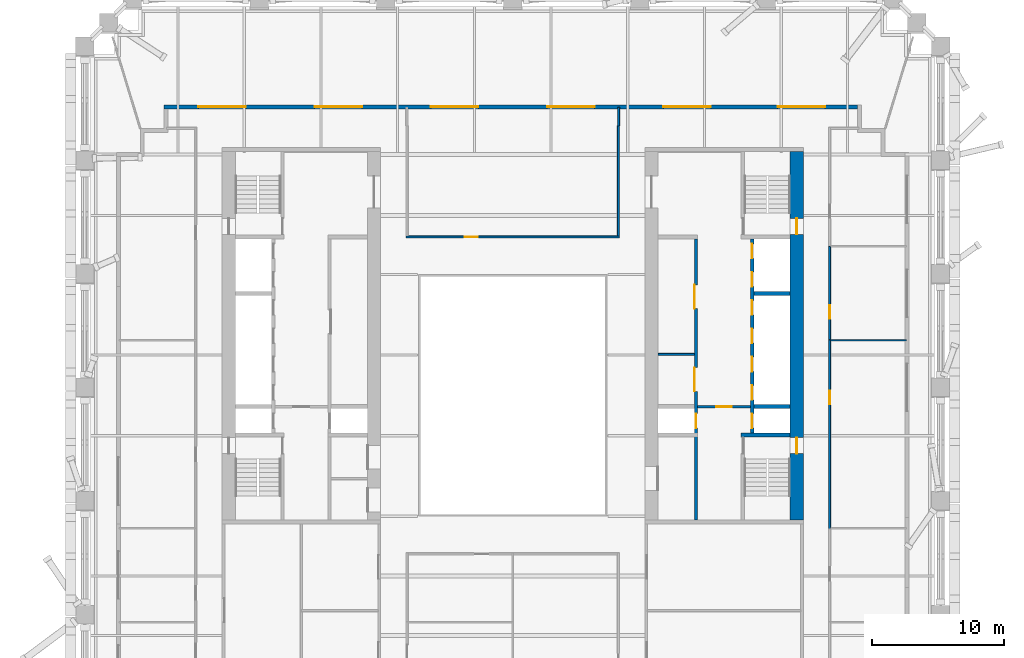
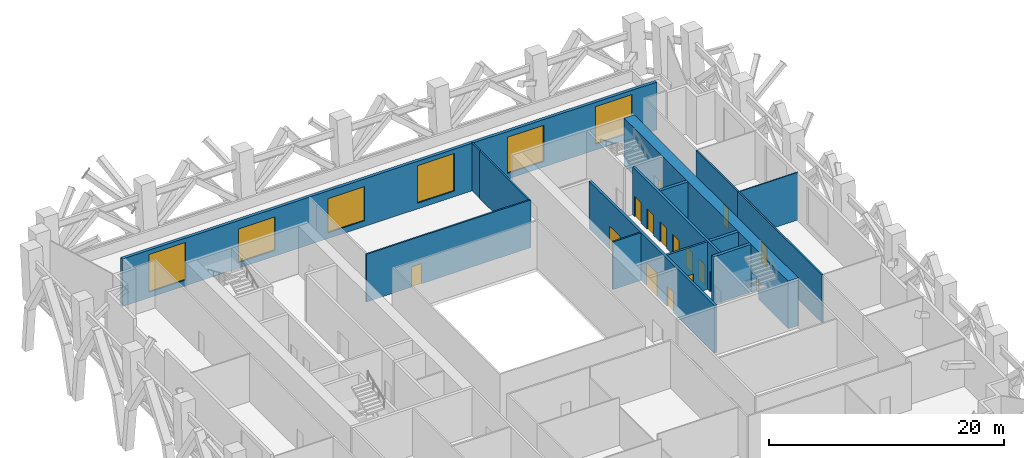
# One storey, part 8 of 19: 16 doors, 15 walls, 6 windows, 22 openings.
"""IFC4 building model written with IfcOpenShell, lengths in metres."""

from ifc_helpers import new_model, si_unit, direction, frame, frame_2d, origin, place, context, subcontext, project, spatial, rectangle, extrude, material, layer, layer_set, type_object, element, fill, save


model = new_model("IFC4")

# Units and contexts
model_context = context("Model", 3, precision=1e-05, world=origin(), true_north=direction((0.0, 1.0)))
body_context = subcontext(model_context, "Body", "Model", "MODEL_VIEW")
ifc_project = project(units=[si_unit("LENGTHUNIT", "METRE"), si_unit("AREAUNIT", "SQUARE_METRE"), si_unit("VOLUMEUNIT", "CUBIC_METRE"), si_unit("PLANEANGLEUNIT", "RADIAN"), si_unit("MASSUNIT", "GRAM", prefix="KILO")], contexts=[model_context])

# Site, building, storey
site_placement = place(None, origin())
site = spatial("IfcSite", under=ifc_project, at=site_placement, CompositionType="ELEMENT")
building_placement = place(site_placement, origin())
building = spatial("IfcBuilding", under=site, at=building_placement, Name="Ogive Exchange Tower", CompositionType="ELEMENT")
storey_placement = place(building_placement, frame((0.0, 0.0, 94.199951171875)))
storey = spatial("IfcBuildingStorey", under=building, at=storey_placement, Name="L20", CompositionType="ELEMENT", Elevation=94.199951171875)

# Wall
ifc_material_1 = material(Name="Gypsum board partition")
ifc_layer_1 = layer(ifc_material_1, 0.14990234375)
ifc_layer_set_1 = layer_set([ifc_layer_1], Name="Core room partition 150 gypsum")
wall_type_1 = type_object("IfcWallType", Name="Core room partition 150 gypsum", PredefinedType="PARTITIONING", material=ifc_layer_set_1)
wall_1_placement = place(storey_placement, frame((11.0, 10.10009765625, 0.0), z_axis=(0.0, 0.0, 1.0), x_axis=(1.0, 0.0, 0.0)))
element("IfcWall", 1, at=wall_1_placement, inside=storey, type_object=wall_type_1, Name="E row B bay partition 1-1", PredefinedType="PARTITIONING", context=body_context, shape_type="SweptSolid", body=[
    extrude(rectangle(XDim=2.75, YDim=0.14990234375, at=frame_2d((1.375, 0.0))), origin(), (0.0, 0.0, 1.0), 4.949951171875),
])

# Wall, opening, door
ifc_material_2 = material(Name="Fire partition EI 60 150")
ifc_layer_2 = layer(ifc_material_2, 0.14990234375)
ifc_layer_set_2 = layer_set([ifc_layer_2], Name="Fire partition EI 60 150")
wall_type_2 = type_object("IfcWallType", Name="Fire partition EI 60 150", PredefinedType="PARTITIONING", material=ifc_layer_set_2)
wall_2_placement = place(storey_placement, frame((-8.074951171875, 19.0, 0.0), z_axis=(0.0, 0.0, 1.0), x_axis=(1.0, 0.0, 0.0)))
wall_2 = element("IfcWall", 2, at=wall_2_placement, inside=storey, type_object=wall_type_2, Name="L20-PWL-018", PredefinedType="PARTITIONING", context=body_context, shape_type="SweptSolid", body=[
    extrude(rectangle(XDim=16.14990234375, YDim=0.14990234375, at=frame_2d((8.074951171875, 0.0))), origin(), (0.0, 0.0, 1.0), 4.949951171875),
])
opening_1_placement = place(wall_2_placement, frame((4.425048828125, 0.0, 0.0)))
opening_1 = element("IfcOpeningElement", 3, at=opening_1_placement, cuts=wall_2, Name="Opening L20-I06", PredefinedType="OPENING", context=body_context, shape_type="SweptSolid", body=[
    extrude(rectangle(XDim=1.0, YDim=2.10009765625, at=frame_2d((0.5, 1.050048828125))), frame((0.0, 0.0849609375, 0.0), z_axis=(0.0, -1.0, 0.0), x_axis=(1.0, 0.0, 0.0)), (0.0, 0.0, 1.0), 0.169921875),
])
ifc_material_3 = material(Name="Fire door FD 30S 1000 x 2100")
door_type_1 = type_object("IfcDoorType", Name="Fire door FD 30S 1000 x 2100", OperationType="NOTDEFINED", PredefinedType="DOOR", material=ifc_material_3)
door_1_placement = place(opening_1_placement, origin())
door_1 = element("IfcDoor", 4, at=door_1_placement, inside=storey, type_object=door_type_1, Name="L20-IDR-006", ObjectType="DT3", OperationType="SINGLE_SWING_LEFT", OverallHeight=2.10009765625, OverallWidth=1.0, PredefinedType="DOOR", context=body_context, shape_type="SweptSolid", body=[
    extrude(rectangle(XDim=1.0, YDim=2.10009765625, at=frame_2d((0.5, 1.050048828125))), frame((0.0, 0.02490234375, 0.0), z_axis=(0.0, -1.0, 0.0), x_axis=(1.0, 0.0, 0.0)), (0.0, 0.0, 1.0), 0.050048828125),
])
fill(opening_1, door_1)

# Walls
wall_3_placement = place(storey_placement, frame((8.0, 19.074951171875, 0.0), z_axis=(0.0, 0.0, 1.0), x_axis=(0.0, 1.0, 0.0)))
element("IfcWall", 5, at=wall_3_placement, inside=storey, type_object=wall_type_2, Name="L20-PWL-031", PredefinedType="PARTITIONING", context=body_context, shape_type="SweptSolid", body=[
    extrude(rectangle(XDim=8.324951171875, YDim=0.14990234375, at=frame_2d((4.16259765625, 0.0))), origin(), (0.0, 0.0, 1.0), 4.949951171875),
])
wall_4_placement = place(storey_placement, frame((8.010009765625, 27.39990234375, 0.0), z_axis=(0.0, 0.0, 1.0), x_axis=(0.0, 1.0, 0.0)))
element("IfcWall", 6, at=wall_4_placement, inside=storey, type_object=wall_type_2, Name="L20-PWL-032", PredefinedType="PARTITIONING", context=body_context, shape_type="SweptSolid", body=[
    extrude(rectangle(XDim=1.400146484375, YDim=0.14990234375, at=frame_2d((0.7001953125, 0.0))), origin(), (0.0, 0.0, 1.0), 4.949951171875),
])

# Wall, opening, door
wall_5_placement = place(storey_placement, frame((24.0, 11.219970703125, 0.0), z_axis=(0.0, 0.0, 1.0), x_axis=(0.0, -1.0, 0.0)))
wall_5 = element("IfcWall", 7, at=wall_5_placement, inside=storey, type_object=wall_type_2, Name="L20-PWL-039", PredefinedType="PARTITIONING", context=body_context, shape_type="SweptSolid", body=[
    extrude(rectangle(XDim=14.330078125, YDim=0.14990234375, at=frame_2d((7.1650390625, 0.0))), origin(), (0.0, 0.0, 1.0), 4.949951171875),
])
opening_2_placement = place(wall_5_placement, frame((3.8798828125, 0.0, 0.0)))
opening_2 = element("IfcOpeningElement", 8, at=opening_2_placement, cuts=wall_5, Name="Opening L20-I02", PredefinedType="OPENING", context=body_context, shape_type="SweptSolid", body=[
    extrude(rectangle(XDim=1.0, YDim=2.10009765625, at=frame_2d((0.5, 1.050048828125))), frame((0.0, 0.0849609375, 0.0), z_axis=(0.0, -1.0, 0.0), x_axis=(1.0, 0.0, 0.0)), (0.0, 0.0, 1.0), 0.169921875),
])
door_2_placement = place(opening_2_placement, origin())
door_2 = element("IfcDoor", 9, at=door_2_placement, inside=storey, type_object=door_type_1, Name="L20-IDR-002", ObjectType="DT3", OperationType="SINGLE_SWING_RIGHT", OverallHeight=2.10009765625, OverallWidth=1.0, PredefinedType="DOOR", context=body_context, shape_type="SweptSolid", body=[
    extrude(rectangle(XDim=1.0, YDim=2.10009765625, at=frame_2d((0.5, 1.050048828125))), frame((0.0, 0.02490234375, 0.0), z_axis=(0.0, -1.0, 0.0), x_axis=(1.0, 0.0, 0.0)), (0.0, 0.0, 1.0), 0.050048828125),
])
fill(opening_2, door_2)

wall_6_placement = place(storey_placement, frame((24.0, 18.2900390625, 0.0), z_axis=(0.0, 0.0, 1.0), x_axis=(0.0, -1.0, 0.0)))
wall_6 = element("IfcWall", 10, at=wall_6_placement, inside=storey, type_object=wall_type_2, Name="L20-PWL-041", PredefinedType="PARTITIONING", context=body_context, shape_type="SweptSolid", body=[
    extrude(rectangle(XDim=7.070068359375, YDim=0.14990234375, at=frame_2d((3.53515625, 0.0))), origin(), (0.0, 0.0, 1.0), 4.949951171875),
])
opening_3_placement = place(wall_6_placement, frame((4.469970703125, 0.0, 0.0)))
opening_3 = element("IfcOpeningElement", 11, at=opening_3_placement, cuts=wall_6, Name="Opening L20-I04", PredefinedType="OPENING", context=body_context, shape_type="SweptSolid", body=[
    extrude(rectangle(XDim=1.0, YDim=2.10009765625, at=frame_2d((0.5, 1.050048828125))), frame((0.0, 0.0849609375, 0.0), z_axis=(0.0, -1.0, 0.0), x_axis=(1.0, 0.0, 0.0)), (0.0, 0.0, 1.0), 0.169921875),
])
door_3_placement = place(opening_3_placement, origin())
door_3 = element("IfcDoor", 12, at=door_3_placement, inside=storey, type_object=door_type_1, Name="L20-IDR-004", ObjectType="DT3", OperationType="SINGLE_SWING_LEFT", OverallHeight=2.10009765625, OverallWidth=1.0, PredefinedType="DOOR", context=body_context, shape_type="SweptSolid", body=[
    extrude(rectangle(XDim=1.0, YDim=2.10009765625, at=frame_2d((0.5, 1.050048828125))), frame((0.0, 0.02490234375, 0.0), z_axis=(0.0, -1.0, 0.0), x_axis=(1.0, 0.0, 0.0)), (0.0, 0.0, 1.0), 0.050048828125),
])
fill(opening_3, door_3)

# Wall, openings, windows
ifc_material_4 = material(Name="Precast concrete C40/50", Category="concrete")
ifc_layer_3 = layer(ifc_material_4, 0.300048828125)
ifc_layer_set_3 = layer_set([ifc_layer_3], Name="Limestone-faced wall 300")
wall_type_3 = type_object("IfcWallType", Name="Limestone-faced wall 300", PredefinedType="STANDARD", material=ifc_layer_set_3)
wall_7_placement = place(storey_placement, frame((26.10009765625, 28.85009765625, 0.0), z_axis=(0.0, 0.0, 1.0), x_axis=(-1.0, 0.0, 0.0)))
wall_7 = element("IfcWall", 13, at=wall_7_placement, inside=storey, type_object=wall_type_3, Name="External wall N3", PredefinedType="STANDARD", context=body_context, shape_type="SweptSolid", body=[
    extrude(rectangle(XDim=52.5, YDim=0.300048828125, at=frame_2d((26.25, 0.0))), origin(), (0.0, 0.0, 1.0), 4.949951171875),
])
opening_4_placement = place(wall_7_placement, frame((2.449951171875, 0.0, 0.60009765625)))
opening_4 = element("IfcOpeningElement", 14, at=opening_4_placement, cuts=wall_7, Name="Opening LV1", PredefinedType="OPENING", context=body_context, shape_type="SweptSolid", body=[
    extrude(rectangle(XDim=3.60009765625, YDim=3.89990234375, at=frame_2d((1.800048828125, 1.949951171875))), frame((0.0, 0.159912109375, 0.0), z_axis=(0.0, -1.0, 0.0), x_axis=(1.0, 0.0, 0.0)), (0.0, 0.0, 1.0), 0.320068359375),
])
opening_5_placement = place(wall_7_placement, frame((11.10009765625, 0.0, 0.60009765625)))
opening_5 = element("IfcOpeningElement", 15, at=opening_5_placement, cuts=wall_7, Name="Opening LV1C", PredefinedType="OPENING", context=body_context, shape_type="SweptSolid", body=[
    extrude(rectangle(XDim=3.60009765625, YDim=3.75, at=frame_2d((1.800048828125, 1.875))), frame((0.0, 0.159912109375, 0.0), z_axis=(0.0, -1.0, 0.0), x_axis=(1.0, 0.0, 0.0)), (0.0, 0.0, 1.0), 0.320068359375),
])
opening_6_placement = place(wall_7_placement, frame((19.89990234375, 0.0, 0.60009765625)))
opening_6 = element("IfcOpeningElement", 16, at=opening_6_placement, cuts=wall_7, Name="Opening LV1", PredefinedType="OPENING", context=body_context, shape_type="SweptSolid", body=[
    extrude(rectangle(XDim=3.60009765625, YDim=3.89990234375, at=frame_2d((1.800048828125, 1.949951171875))), frame((0.0, 0.159912109375, 0.0), z_axis=(0.0, -1.0, 0.0), x_axis=(1.0, 0.0, 0.0)), (0.0, 0.0, 1.0), 0.320068359375),
])
opening_7_placement = place(wall_7_placement, frame((28.699951171875, 0.0, 0.60009765625)))
opening_7 = element("IfcOpeningElement", 17, at=opening_7_placement, cuts=wall_7, Name="Opening LV1E", PredefinedType="OPENING", context=body_context, shape_type="SweptSolid", body=[
    extrude(rectangle(XDim=3.60009765625, YDim=3.550048828125, at=frame_2d((1.800048828125, 1.77490234375))), frame((0.0, 0.159912109375, 0.0), z_axis=(0.0, -1.0, 0.0), x_axis=(1.0, 0.0, 0.0)), (0.0, 0.0, 1.0), 0.320068359375),
])
opening_8_placement = place(wall_7_placement, frame((37.5, 0.0, 0.60009765625)))
opening_8 = element("IfcOpeningElement", 18, at=opening_8_placement, cuts=wall_7, Name="Opening LV1F", PredefinedType="OPENING", context=body_context, shape_type="SweptSolid", body=[
    extrude(rectangle(XDim=3.60009765625, YDim=3.47509765625, at=frame_2d((1.800048828125, 1.737548828125))), frame((0.0, 0.159912109375, 0.0), z_axis=(0.0, -1.0, 0.0), x_axis=(1.0, 0.0, 0.0)), (0.0, 0.0, 1.0), 0.320068359375),
])
opening_9_placement = place(wall_7_placement, frame((46.300048828125, 0.0, 0.60009765625)))
opening_9 = element("IfcOpeningElement", 19, at=opening_9_placement, cuts=wall_7, Name="Opening LV1", PredefinedType="OPENING", context=body_context, shape_type="SweptSolid", body=[
    extrude(rectangle(XDim=3.60009765625, YDim=3.89990234375, at=frame_2d((1.800048828125, 1.949951171875))), frame((0.0, 0.159912109375, 0.0), z_axis=(0.0, -1.0, 0.0), x_axis=(1.0, 0.0, 0.0)), (0.0, 0.0, 1.0), 0.320068359375),
])
ifc_material_5 = material(Name="Anodised aluminium louvre", Category="aluminium")
window_type_1 = type_object("IfcWindowType", Name="Plant louvre 3600 x 3475", PartitioningType="DOUBLE_PANEL_HORIZONTAL", PredefinedType="WINDOW", material=ifc_material_5)
window_1_placement = place(opening_8_placement, origin())
window_1 = element("IfcWindow", 20, at=window_1_placement, inside=storey, type_object=window_type_1, Name="Louvre N04", OverallHeight=3.47509765625, OverallWidth=3.60009765625, PartitioningType="DOUBLE_PANEL_HORIZONTAL", PredefinedType="WINDOW", context=body_context, shape_type="SweptSolid", body=[
    extrude(rectangle(XDim=3.60009765625, YDim=3.47509765625, at=frame_2d((1.800048828125, 1.737548828125))), frame((0.0, 0.030029296875, 0.0), z_axis=(0.0, -1.0, 0.0), x_axis=(1.0, 0.0, 0.0)), (0.0, 0.0, 1.0), 0.06005859375),
])
fill(opening_8, window_1)
window_type_2 = type_object("IfcWindowType", Name="Plant louvre 3600 x 3550", PartitioningType="DOUBLE_PANEL_HORIZONTAL", PredefinedType="WINDOW", material=ifc_material_5)
window_2_placement = place(opening_7_placement, origin())
window_2 = element("IfcWindow", 21, at=window_2_placement, inside=storey, type_object=window_type_2, Name="Louvre N03", OverallHeight=3.550048828125, OverallWidth=3.60009765625, PartitioningType="DOUBLE_PANEL_HORIZONTAL", PredefinedType="WINDOW", context=body_context, shape_type="SweptSolid", body=[
    extrude(rectangle(XDim=3.60009765625, YDim=3.550048828125, at=frame_2d((1.800048828125, 1.77490234375))), frame((0.0, 0.030029296875, 0.0), z_axis=(0.0, -1.0, 0.0), x_axis=(1.0, 0.0, 0.0)), (0.0, 0.0, 1.0), 0.06005859375),
])
fill(opening_7, window_2)
window_type_3 = type_object("IfcWindowType", Name="Plant louvre 3600 x 3750", PartitioningType="DOUBLE_PANEL_HORIZONTAL", PredefinedType="WINDOW", material=ifc_material_5)
window_3_placement = place(opening_5_placement, origin())
window_3 = element("IfcWindow", 22, at=window_3_placement, inside=storey, type_object=window_type_3, Name="Louvre N01", OverallHeight=3.75, OverallWidth=3.60009765625, PartitioningType="DOUBLE_PANEL_HORIZONTAL", PredefinedType="WINDOW", context=body_context, shape_type="SweptSolid", body=[
    extrude(rectangle(XDim=3.60009765625, YDim=3.75, at=frame_2d((1.800048828125, 1.875))), frame((0.0, 0.030029296875, 0.0), z_axis=(0.0, -1.0, 0.0), x_axis=(1.0, 0.0, 0.0)), (0.0, 0.0, 1.0), 0.06005859375),
])
fill(opening_5, window_3)
window_type_4 = type_object("IfcWindowType", Name="Plant louvre 3600 x 3900", PartitioningType="DOUBLE_PANEL_HORIZONTAL", PredefinedType="WINDOW", material=ifc_material_5)
window_4_placement = place(opening_4_placement, origin())
window_4 = element("IfcWindow", 23, at=window_4_placement, inside=storey, type_object=window_type_4, Name="Louvre N00", OverallHeight=3.89990234375, OverallWidth=3.60009765625, PartitioningType="DOUBLE_PANEL_HORIZONTAL", PredefinedType="WINDOW", context=body_context, shape_type="SweptSolid", body=[
    extrude(rectangle(XDim=3.60009765625, YDim=3.89990234375, at=frame_2d((1.800048828125, 1.949951171875))), frame((0.0, 0.030029296875, 0.0), z_axis=(0.0, -1.0, 0.0), x_axis=(1.0, 0.0, 0.0)), (0.0, 0.0, 1.0), 0.06005859375),
])
fill(opening_4, window_4)
window_5_placement = place(opening_6_placement, origin())
window_5 = element("IfcWindow", 24, at=window_5_placement, inside=storey, type_object=window_type_4, Name="Louvre N02", OverallHeight=3.89990234375, OverallWidth=3.60009765625, PartitioningType="DOUBLE_PANEL_HORIZONTAL", PredefinedType="WINDOW", context=body_context, shape_type="SweptSolid", body=[
    extrude(rectangle(XDim=3.60009765625, YDim=3.89990234375, at=frame_2d((1.800048828125, 1.949951171875))), frame((0.0, 0.030029296875, 0.0), z_axis=(0.0, -1.0, 0.0), x_axis=(1.0, 0.0, 0.0)), (0.0, 0.0, 1.0), 0.06005859375),
])
fill(opening_6, window_5)
window_6_placement = place(opening_9_placement, origin())
window_6 = element("IfcWindow", 25, at=window_6_placement, inside=storey, type_object=window_type_4, Name="Louvre N05", OverallHeight=3.89990234375, OverallWidth=3.60009765625, PartitioningType="DOUBLE_PANEL_HORIZONTAL", PredefinedType="WINDOW", context=body_context, shape_type="SweptSolid", body=[
    extrude(rectangle(XDim=3.60009765625, YDim=3.89990234375, at=frame_2d((1.800048828125, 1.949951171875))), frame((0.0, 0.030029296875, 0.0), z_axis=(0.0, -1.0, 0.0), x_axis=(1.0, 0.0, 0.0)), (0.0, 0.0, 1.0), 0.06005859375),
])
fill(opening_9, window_6)

# Wall
ifc_material_6 = material(Name="Partition 100 gypsum")
ifc_layer_4 = layer(ifc_material_6, 0.10009765625)
ifc_layer_set_4 = layer_set([ifc_layer_4], Name="Partition 100 gypsum")
wall_type_4 = type_object("IfcWallType", Name="Partition 100 gypsum", PredefinedType="PARTITIONING", material=ifc_layer_set_4)
wall_8_placement = place(storey_placement, frame((24.074951171875, 11.169921875, 0.0), z_axis=(0.0, 0.0, 1.0), x_axis=(1.0, 0.0, 0.0)))
element("IfcWall", 26, at=wall_8_placement, inside=storey, type_object=wall_type_4, Name="L20-PWL-040", PredefinedType="PARTITIONING", context=body_context, shape_type="SweptSolid", body=[
    extrude(rectangle(XDim=5.72509765625, YDim=0.10009765625, at=frame_2d((2.862548828125, 0.0))), origin(), (0.0, 0.0, 1.0), 4.949951171875),
])

# Wall, openings, doors
ifc_material_7 = material(Name="Concrete C70/85", Category="concrete")
ifc_layer_5 = layer(ifc_material_7, 1.0)
ifc_layer_set_5 = layer_set([ifc_layer_5], Name="RC core wall 1000 C70/85")
wall_type_5 = type_object("IfcWallType", Name="RC core wall 1000 C70/85", PredefinedType="SHEAR", material=ifc_layer_set_5)
wall_9_placement = place(storey_placement, frame((21.5, -2.449951171875, 0.0), z_axis=(0.0, 0.0, 1.0), x_axis=(0.0, 1.0, 0.0)))
wall_9 = element("IfcWall", 27, at=wall_9_placement, inside=storey, type_object=wall_type_5, Name="E outer wall", PredefinedType="SHEAR", context=body_context, shape_type="SweptSolid", body=[
    extrude(rectangle(XDim=27.89990234375, YDim=1.0, at=frame_2d((13.949951171875, 0.0))), origin(), (0.0, 0.0, 1.0), 4.949951171875),
])
opening_10_placement = place(wall_9_placement, frame((5.050048828125, 0.0, 0.0)))
opening_10 = element("IfcOpeningElement", 28, at=opening_10_placement, cuts=wall_9, Name="Opening L20-C34", PredefinedType="OPENING", context=body_context, shape_type="SweptSolid", body=[
    extrude(rectangle(XDim=1.199951171875, YDim=2.10009765625, at=frame_2d((0.60009765625, 1.050048828125))), frame((0.0, 0.510009765625, 0.0), z_axis=(0.0, -1.0, 0.0), x_axis=(1.0, 0.0, 0.0)), (0.0, 0.0, 1.0), 1.02001953125),
])
opening_11_placement = place(wall_9_placement, frame((21.64990234375, 0.0, 0.0)))
opening_11 = element("IfcOpeningElement", 29, at=opening_11_placement, cuts=wall_9, Name="Opening L20-C36", PredefinedType="OPENING", context=body_context, shape_type="SweptSolid", body=[
    extrude(rectangle(XDim=1.199951171875, YDim=2.10009765625, at=frame_2d((0.60009765625, 1.050048828125))), frame((0.0, 0.510009765625, 0.0), z_axis=(0.0, -1.0, 0.0), x_axis=(1.0, 0.0, 0.0)), (0.0, 0.0, 1.0), 1.02001953125),
])
ifc_material_8 = material(Name="Steel fire door", Category="steel")
door_type_2 = type_object("IfcDoorType", Name="Stair door FD90 1200 x 2100", OperationType="NOTDEFINED", PredefinedType="DOOR", material=ifc_material_8)
door_4_placement = place(opening_10_placement, origin())
door_4 = element("IfcDoor", 30, at=door_4_placement, inside=storey, type_object=door_type_2, Name="Stair door", ObjectType="CD5", OperationType="SINGLE_SWING_LEFT", OverallHeight=2.10009765625, OverallWidth=1.199951171875, PredefinedType="DOOR", context=body_context, shape_type="SweptSolid", body=[
    extrude(rectangle(XDim=1.199951171875, YDim=2.10009765625, at=frame_2d((0.60009765625, 1.050048828125))), frame((0.0, 0.02490234375, 0.0), z_axis=(0.0, -1.0, 0.0), x_axis=(1.0, 0.0, 0.0)), (0.0, 0.0, 1.0), 0.050048828125),
])
fill(opening_10, door_4)
door_5_placement = place(opening_11_placement, origin())
door_5 = element("IfcDoor", 31, at=door_5_placement, inside=storey, type_object=door_type_2, Name="Stair door", ObjectType="CD5", OperationType="SINGLE_SWING_RIGHT", OverallHeight=2.10009765625, OverallWidth=1.199951171875, PredefinedType="DOOR", context=body_context, shape_type="SweptSolid", body=[
    extrude(rectangle(XDim=1.199951171875, YDim=2.10009765625, at=frame_2d((0.60009765625, 1.050048828125))), frame((0.0, 0.02490234375, 0.0), z_axis=(0.0, -1.0, 0.0), x_axis=(1.0, 0.0, 0.0)), (0.0, 0.0, 1.0), 0.050048828125),
])
fill(opening_11, door_5)

# Wall, opening, door
ifc_layer_6 = layer(ifc_material_7, 0.199951171875)
ifc_layer_set_6 = layer_set([ifc_layer_6], Name="RC core wall 200 C70/85")
wall_type_6 = type_object("IfcWallType", Name="RC core wall 200 C70/85", PredefinedType="SHEAR", material=ifc_layer_set_6)
wall_10_placement = place(storey_placement, frame((14.0, 6.142822265625, 0.0), z_axis=(0.0, 0.0, 1.0), x_axis=(1.0, 0.0, 0.0)))
wall_10 = element("IfcWall", 32, at=wall_10_placement, inside=storey, type_object=wall_type_6, Name="E firefighting lobby wall", PredefinedType="SHEAR", context=body_context, shape_type="SweptSolid", body=[
    extrude(rectangle(XDim=4.0, YDim=0.199951171875, at=frame_2d((2.0, 0.0))), origin(), (0.0, 0.0, 1.0), 4.949951171875),
])
opening_12_placement = place(wall_10_placement, frame((1.39990234375, 0.0, 0.0)))
opening_12 = element("IfcOpeningElement", 33, at=opening_12_placement, cuts=wall_10, Name="Opening L20-C31", PredefinedType="OPENING", context=body_context, shape_type="SweptSolid", body=[
    extrude(rectangle(XDim=1.199951171875, YDim=2.10009765625, at=frame_2d((0.60009765625, 1.050048828125))), frame((0.0, 0.10986328125, 0.0), z_axis=(0.0, -1.0, 0.0), x_axis=(1.0, 0.0, 0.0)), (0.0, 0.0, 1.0), 0.219970703125),
])
door_type_3 = type_object("IfcDoorType", Name="Firefighting lobby door FD60 1200 x 2100", OperationType="NOTDEFINED", PredefinedType="DOOR", material=ifc_material_8)
door_6_placement = place(opening_12_placement, frame((1.199951171875, 0.0, 0.0), z_axis=(0.0, 0.0, 1.0), x_axis=(-1.0, 0.0, 0.0)))
door_6 = element("IfcDoor", 34, at=door_6_placement, inside=storey, type_object=door_type_3, Name="Firefighting lobby door", ObjectType="CD3", OperationType="SINGLE_SWING_RIGHT", OverallHeight=2.10009765625, OverallWidth=1.199951171875, PredefinedType="DOOR", context=body_context, shape_type="SweptSolid", body=[
    extrude(rectangle(XDim=1.199951171875, YDim=2.10009765625, at=frame_2d((0.60009765625, 1.050048828125))), frame((0.0, 0.02490234375, 0.0), z_axis=(0.0, -1.0, 0.0), x_axis=(1.0, 0.0, 0.0)), (0.0, 0.0, 1.0), 0.050048828125),
])
fill(opening_12, door_6)

# Wall, openings, doors
ifc_layer_7 = layer(ifc_material_7, 0.25)
ifc_layer_set_7 = layer_set([ifc_layer_7], Name="RC core wall 250 C70/85")
wall_type_7 = type_object("IfcWallType", Name="RC core wall 250 C70/85", PredefinedType="SHEAR", material=ifc_layer_set_7)
wall_11_placement = place(storey_placement, frame((18.125, 4.14990234375, 0.0), z_axis=(0.0, 0.0, 1.0), x_axis=(0.0, 1.0, 0.0)))
wall_11 = element("IfcWall", 35, at=wall_11_placement, inside=storey, type_object=wall_type_7, Name="E row A front wall", PredefinedType="SHEAR", context=body_context, shape_type="SweptSolid", body=[
    extrude(rectangle(XDim=14.7001953125, YDim=0.25, at=frame_2d((7.35009765625, 0.0))), origin(), (0.0, 0.0, 1.0), 4.949951171875),
])
opening_13_placement = place(wall_11_placement, frame((0.371337890625, 0.0, 0.0)))
opening_13 = element("IfcOpeningElement", 36, at=opening_13_placement, cuts=wall_11, Name="Opening L20-C21", PredefinedType="OPENING", context=body_context, shape_type="SweptSolid", body=[
    extrude(rectangle(XDim=1.10009765625, YDim=2.10009765625, at=frame_2d((0.550048828125, 1.050048828125))), frame((0.0, 0.135009765625, 0.0), z_axis=(0.0, -1.0, 0.0), x_axis=(1.0, 0.0, 0.0)), (0.0, 0.0, 1.0), 0.27001953125),
])
opening_14_placement = place(wall_11_placement, frame((2.514404296875, 0.0, 0.0)))
opening_14 = element("IfcOpeningElement", 37, at=opening_14_placement, cuts=wall_11, Name="Opening L20-C22", PredefinedType="OPENING", context=body_context, shape_type="SweptSolid", body=[
    extrude(rectangle(XDim=1.10009765625, YDim=2.10009765625, at=frame_2d((0.550048828125, 1.050048828125))), frame((0.0, 0.135009765625, 0.0), z_axis=(0.0, -1.0, 0.0), x_axis=(1.0, 0.0, 0.0)), (0.0, 0.0, 1.0), 0.27001953125),
])
opening_15_placement = place(wall_11_placement, frame((4.656982421875, 0.0, 0.0)))
opening_15 = element("IfcOpeningElement", 38, at=opening_15_placement, cuts=wall_11, Name="Opening L20-C23", PredefinedType="OPENING", context=body_context, shape_type="SweptSolid", body=[
    extrude(rectangle(XDim=1.10009765625, YDim=2.10009765625, at=frame_2d((0.550048828125, 1.050048828125))), frame((0.0, 0.135009765625, 0.0), z_axis=(0.0, -1.0, 0.0), x_axis=(1.0, 0.0, 0.0)), (0.0, 0.0, 1.0), 0.27001953125),
])
opening_16_placement = place(wall_11_placement, frame((6.800048828125, 0.0, 0.0)))
opening_16 = element("IfcOpeningElement", 39, at=opening_16_placement, cuts=wall_11, Name="Opening L20-C24", PredefinedType="OPENING", context=body_context, shape_type="SweptSolid", body=[
    extrude(rectangle(XDim=1.10009765625, YDim=2.10009765625, at=frame_2d((0.550048828125, 1.050048828125))), frame((0.0, 0.135009765625, 0.0), z_axis=(0.0, -1.0, 0.0), x_axis=(1.0, 0.0, 0.0)), (0.0, 0.0, 1.0), 0.27001953125),
])
opening_17_placement = place(wall_11_placement, frame((8.94287109375, 0.0, 0.0)))
opening_17 = element("IfcOpeningElement", 40, at=opening_17_placement, cuts=wall_11, Name="Opening L20-C25", PredefinedType="OPENING", context=body_context, shape_type="SweptSolid", body=[
    extrude(rectangle(XDim=1.10009765625, YDim=2.10009765625, at=frame_2d((0.550048828125, 1.050048828125))), frame((0.0, 0.135009765625, 0.0), z_axis=(0.0, -1.0, 0.0), x_axis=(1.0, 0.0, 0.0)), (0.0, 0.0, 1.0), 0.27001953125),
])
opening_18_placement = place(wall_11_placement, frame((11.085693359375, 0.0, 0.0)))
opening_18 = element("IfcOpeningElement", 41, at=opening_18_placement, cuts=wall_11, Name="Opening L20-C26", PredefinedType="OPENING", context=body_context, shape_type="SweptSolid", body=[
    extrude(rectangle(XDim=1.10009765625, YDim=2.10009765625, at=frame_2d((0.550048828125, 1.050048828125))), frame((0.0, 0.135009765625, 0.0), z_axis=(0.0, -1.0, 0.0), x_axis=(1.0, 0.0, 0.0)), (0.0, 0.0, 1.0), 0.27001953125),
])
opening_19_placement = place(wall_11_placement, frame((13.228515625, 0.0, 0.0)))
opening_19 = element("IfcOpeningElement", 42, at=opening_19_placement, cuts=wall_11, Name="Opening L20-C27", PredefinedType="OPENING", context=body_context, shape_type="SweptSolid", body=[
    extrude(rectangle(XDim=1.10009765625, YDim=2.10009765625, at=frame_2d((0.550048828125, 1.050048828125))), frame((0.0, 0.135009765625, 0.0), z_axis=(0.0, -1.0, 0.0), x_axis=(1.0, 0.0, 0.0)), (0.0, 0.0, 1.0), 0.27001953125),
])
ifc_material_9 = material(Name="Stainless steel", Category="steel")
door_type_4 = type_object("IfcDoorType", Name="Lift landing door FD90 1100 x 2100", OperationType="SLIDING_TO_LEFT", PredefinedType="DOOR", material=ifc_material_9)
door_7_placement = place(opening_13_placement, origin())
door_7 = element("IfcDoor", 43, at=door_7_placement, inside=storey, type_object=door_type_4, Name="Lift landing door FF2", ObjectType="LD", OperationType="SLIDING_TO_LEFT", OverallHeight=2.10009765625, OverallWidth=1.10009765625, PredefinedType="DOOR", context=body_context, shape_type="SweptSolid", body=[
    extrude(rectangle(XDim=1.10009765625, YDim=2.10009765625, at=frame_2d((0.550048828125, 1.050048828125))), frame((0.0, 0.02490234375, 0.0), z_axis=(0.0, -1.0, 0.0), x_axis=(1.0, 0.0, 0.0)), (0.0, 0.0, 1.0), 0.050048828125),
])
fill(opening_13, door_7)
door_8_placement = place(opening_14_placement, origin())
door_8 = element("IfcDoor", 44, at=door_8_placement, inside=storey, type_object=door_type_4, Name="Lift landing door E-L1", ObjectType="LD", OperationType="SLIDING_TO_LEFT", OverallHeight=2.10009765625, OverallWidth=1.10009765625, PredefinedType="DOOR", context=body_context, shape_type="SweptSolid", body=[
    extrude(rectangle(XDim=1.10009765625, YDim=2.10009765625, at=frame_2d((0.550048828125, 1.050048828125))), frame((0.0, 0.02490234375, 0.0), z_axis=(0.0, -1.0, 0.0), x_axis=(1.0, 0.0, 0.0)), (0.0, 0.0, 1.0), 0.050048828125),
])
fill(opening_14, door_8)
door_9_placement = place(opening_15_placement, origin())
door_9 = element("IfcDoor", 45, at=door_9_placement, inside=storey, type_object=door_type_4, Name="Lift landing door E-L2", ObjectType="LD", OperationType="SLIDING_TO_LEFT", OverallHeight=2.10009765625, OverallWidth=1.10009765625, PredefinedType="DOOR", context=body_context, shape_type="SweptSolid", body=[
    extrude(rectangle(XDim=1.10009765625, YDim=2.10009765625, at=frame_2d((0.550048828125, 1.050048828125))), frame((0.0, 0.02490234375, 0.0), z_axis=(0.0, -1.0, 0.0), x_axis=(1.0, 0.0, 0.0)), (0.0, 0.0, 1.0), 0.050048828125),
])
fill(opening_15, door_9)
door_10_placement = place(opening_16_placement, origin())
door_10 = element("IfcDoor", 46, at=door_10_placement, inside=storey, type_object=door_type_4, Name="Lift landing door E-L3", ObjectType="LD", OperationType="SLIDING_TO_LEFT", OverallHeight=2.10009765625, OverallWidth=1.10009765625, PredefinedType="DOOR", context=body_context, shape_type="SweptSolid", body=[
    extrude(rectangle(XDim=1.10009765625, YDim=2.10009765625, at=frame_2d((0.550048828125, 1.050048828125))), frame((0.0, 0.02490234375, 0.0), z_axis=(0.0, -1.0, 0.0), x_axis=(1.0, 0.0, 0.0)), (0.0, 0.0, 1.0), 0.050048828125),
])
fill(opening_16, door_10)
door_11_placement = place(opening_17_placement, origin())
door_11 = element("IfcDoor", 47, at=door_11_placement, inside=storey, type_object=door_type_4, Name="Lift landing door E-L4", ObjectType="LD", OperationType="SLIDING_TO_LEFT", OverallHeight=2.10009765625, OverallWidth=1.10009765625, PredefinedType="DOOR", context=body_context, shape_type="SweptSolid", body=[
    extrude(rectangle(XDim=1.10009765625, YDim=2.10009765625, at=frame_2d((0.550048828125, 1.050048828125))), frame((0.0, 0.02490234375, 0.0), z_axis=(0.0, -1.0, 0.0), x_axis=(1.0, 0.0, 0.0)), (0.0, 0.0, 1.0), 0.050048828125),
])
fill(opening_17, door_11)
door_12_placement = place(opening_18_placement, origin())
door_12 = element("IfcDoor", 48, at=door_12_placement, inside=storey, type_object=door_type_4, Name="Lift landing door E-SH1", ObjectType="LD", OperationType="SLIDING_TO_LEFT", OverallHeight=2.10009765625, OverallWidth=1.10009765625, PredefinedType="DOOR", context=body_context, shape_type="SweptSolid", body=[
    extrude(rectangle(XDim=1.10009765625, YDim=2.10009765625, at=frame_2d((0.550048828125, 1.050048828125))), frame((0.0, 0.02490234375, 0.0), z_axis=(0.0, -1.0, 0.0), x_axis=(1.0, 0.0, 0.0)), (0.0, 0.0, 1.0), 0.050048828125),
])
fill(opening_18, door_12)
door_13_placement = place(opening_19_placement, origin())
door_13 = element("IfcDoor", 49, at=door_13_placement, inside=storey, type_object=door_type_4, Name="Lift landing door E-SH2", ObjectType="LD", OperationType="SLIDING_TO_LEFT", OverallHeight=2.10009765625, OverallWidth=1.10009765625, PredefinedType="DOOR", context=body_context, shape_type="SweptSolid", body=[
    extrude(rectangle(XDim=1.10009765625, YDim=2.10009765625, at=frame_2d((0.550048828125, 1.050048828125))), frame((0.0, 0.02490234375, 0.0), z_axis=(0.0, -1.0, 0.0), x_axis=(1.0, 0.0, 0.0)), (0.0, 0.0, 1.0), 0.050048828125),
])
fill(opening_19, door_13)

wall_12_placement = place(storey_placement, frame((13.875, -2.449951171875, 0.0), z_axis=(0.0, 0.0, 1.0), x_axis=(0.0, 1.0, 0.0)))
wall_12 = element("IfcWall", 50, at=wall_12_placement, inside=storey, type_object=wall_type_7, Name="E row B front wall", PredefinedType="SHEAR", context=body_context, shape_type="SweptSolid", body=[
    extrude(rectangle(XDim=21.300048828125, YDim=0.25, at=frame_2d((10.64990234375, 0.0))), origin(), (0.0, 0.0, 1.0), 4.949951171875),
])
opening_20_placement = place(wall_12_placement, frame((9.746337890625, 0.0, 0.0)))
opening_20 = element("IfcOpeningElement", 51, at=opening_20_placement, cuts=wall_12, Name="Opening L20-C28", PredefinedType="OPENING", context=body_context, shape_type="SweptSolid", body=[
    extrude(rectangle(XDim=1.800048828125, YDim=2.39990234375, at=frame_2d((0.89990234375, 1.199951171875))), frame((0.0, 0.135009765625, 0.0), z_axis=(0.0, -1.0, 0.0), x_axis=(1.0, 0.0, 0.0)), (0.0, 0.0, 1.0), 0.27001953125),
])
opening_21_placement = place(wall_12_placement, frame((16.02490234375, 0.0, 0.0)))
opening_21 = element("IfcOpeningElement", 52, at=opening_21_placement, cuts=wall_12, Name="Opening L20-C29", PredefinedType="OPENING", context=body_context, shape_type="SweptSolid", body=[
    extrude(rectangle(XDim=1.800048828125, YDim=2.39990234375, at=frame_2d((0.89990234375, 1.199951171875))), frame((0.0, 0.135009765625, 0.0), z_axis=(0.0, -1.0, 0.0), x_axis=(1.0, 0.0, 0.0)), (0.0, 0.0, 1.0), 0.27001953125),
])
opening_22_placement = place(wall_12_placement, frame((6.971435546875, 0.0, 0.0)))
opening_22 = element("IfcOpeningElement", 53, at=opening_22_placement, cuts=wall_12, Name="Opening L20-C30", PredefinedType="OPENING", context=body_context, shape_type="SweptSolid", body=[
    extrude(rectangle(XDim=1.10009765625, YDim=2.10009765625, at=frame_2d((0.550048828125, 1.050048828125))), frame((0.0, 0.135009765625, 0.0), z_axis=(0.0, -1.0, 0.0), x_axis=(1.0, 0.0, 0.0)), (0.0, 0.0, 1.0), 0.27001953125),
])
door_14_placement = place(opening_22_placement, origin())
door_14 = element("IfcDoor", 54, at=door_14_placement, inside=storey, type_object=door_type_4, Name="Lift landing door SV2", ObjectType="LD", OperationType="SLIDING_TO_LEFT", OverallHeight=2.10009765625, OverallWidth=1.10009765625, PredefinedType="DOOR", context=body_context, shape_type="SweptSolid", body=[
    extrude(rectangle(XDim=1.10009765625, YDim=2.10009765625, at=frame_2d((0.550048828125, 1.050048828125))), frame((0.0, 0.02490234375, 0.0), z_axis=(0.0, -1.0, 0.0), x_axis=(1.0, 0.0, 0.0)), (0.0, 0.0, 1.0), 0.050048828125),
])
fill(opening_22, door_14)
door_type_5 = type_object("IfcDoorType", Name="Plant room door FD60 1800 x 2400", OperationType="DOUBLE_DOOR_SINGLE_SWING", PredefinedType="DOOR", material=ifc_material_8)
door_15_placement = place(opening_20_placement, origin())
door_15 = element("IfcDoor", 55, at=door_15_placement, inside=storey, type_object=door_type_5, Name="Plant room door", ObjectType="CD1", OperationType="DOUBLE_DOOR_SINGLE_SWING", OverallHeight=2.39990234375, OverallWidth=1.800048828125, PredefinedType="DOOR", context=body_context, shape_type="SweptSolid", body=[
    extrude(rectangle(XDim=1.800048828125, YDim=2.39990234375, at=frame_2d((0.89990234375, 1.199951171875))), frame((0.0, 0.125, 0.0), z_axis=(0.0, -1.0, 0.0), x_axis=(1.0, 0.0, 0.0)), (0.0, 0.0, 1.0), 0.050048828125),
])
fill(opening_20, door_15)
door_16_placement = place(opening_21_placement, origin())
door_16 = element("IfcDoor", 56, at=door_16_placement, inside=storey, type_object=door_type_5, Name="Plant room door", ObjectType="CD1", OperationType="DOUBLE_DOOR_SINGLE_SWING", OverallHeight=2.39990234375, OverallWidth=1.800048828125, PredefinedType="DOOR", context=body_context, shape_type="SweptSolid", body=[
    extrude(rectangle(XDim=1.800048828125, YDim=2.39990234375, at=frame_2d((0.89990234375, 1.199951171875))), frame((0.0, 0.125, 0.0), z_axis=(0.0, -1.0, 0.0), x_axis=(1.0, 0.0, 0.0)), (0.0, 0.0, 1.0), 0.050048828125),
])
fill(opening_21, door_16)

# Walls
ifc_layer_8 = layer(ifc_material_7, 0.300048828125)
ifc_layer_set_8 = layer_set([ifc_layer_8], Name="RC core wall 300 C70/85")
wall_type_8 = type_object("IfcWallType", Name="RC core wall 300 C70/85", PredefinedType="SHEAR", material=ifc_layer_set_8)
wall_13_placement = place(storey_placement, frame((17.300048828125, 4.0, 0.0), z_axis=(0.0, 0.0, 1.0), x_axis=(1.0, 0.0, 0.0)))
element("IfcWall", 57, at=wall_13_placement, inside=storey, type_object=wall_type_8, Name="E stair S north wall", PredefinedType="SHEAR", context=body_context, shape_type="SweptSolid", body=[
    extrude(rectangle(XDim=3.699951171875, YDim=0.300048828125, at=frame_2d((1.85009765625, 0.0))), origin(), (0.0, 0.0, 1.0), 4.949951171875),
])
for number, where, z_axis, x_axis, name in (
    (58, (18.25, 6.142822265625, 0.0), (0.0, 0.0, 1.0), (1.0, 0.0, 0.0), "E row A divider 1"),
    (59, (18.25, 14.71435546875, 0.0), (0.0, 0.0, 1.0), (1.0, 0.0, 0.0), "E row A divider 5"),
):
    element("IfcWall", number, at=place(storey_placement, frame(where, z_axis=z_axis, x_axis=x_axis)), inside=storey, type_object=wall_type_8, Name=name, PredefinedType="SHEAR", context=body_context, shape_type="SweptSolid", body=[
        extrude(rectangle(XDim=2.75, YDim=0.300048828125, at=frame_2d((1.375, 0.0))), origin(), (0.0, 0.0, 1.0), 4.949951171875),
    ])

save(model, "model.ifc")
